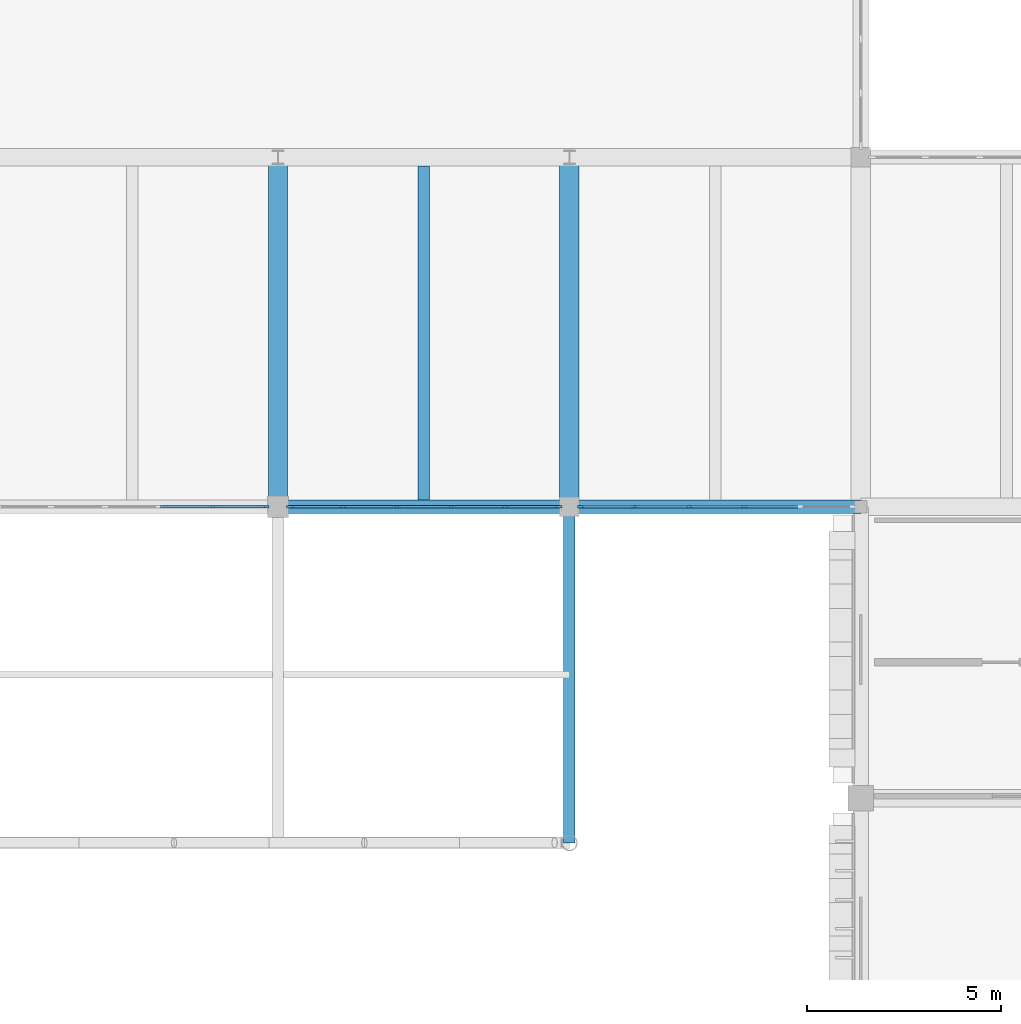
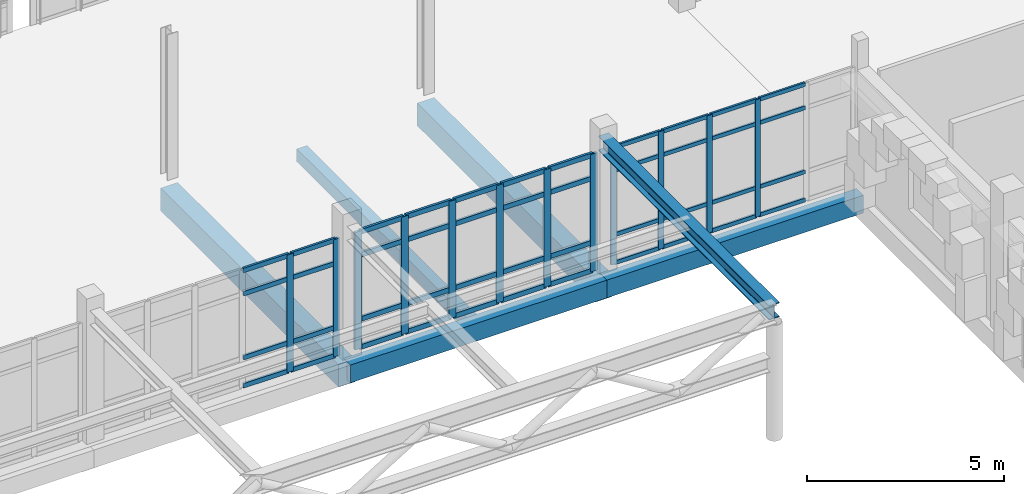
# One storey, part 31 of 128: 56 members, 6 beams, 3 elements without a shape of their own.
"""IFC4 building model written with IfcOpenShell, lengths in metres."""

from ifc_helpers import new_model, si_unit, direction, frame, origin, origin_2d, place, context, subcontext, project, spatial, rectangle, i_section, extrude, material, layer, layer_set, material_profile, profile_set, type_object, element, aggregate, save


model = new_model("IFC4")

# Units and contexts
model_context = context("Model", 3, precision=1e-05, world=origin(), true_north=direction((0.0, 1.0)))
body_context = subcontext(model_context, "Body", "Model", "MODEL_VIEW")
ifc_project = project(units=[si_unit("LENGTHUNIT", "METRE"), si_unit("AREAUNIT", "SQUARE_METRE"), si_unit("VOLUMEUNIT", "CUBIC_METRE"), si_unit("PLANEANGLEUNIT", "RADIAN"), si_unit("MASSUNIT", "GRAM", prefix="KILO")], contexts=[model_context])

# Site, building, storey
site_placement = place(None, origin())
site = spatial("IfcSite", under=ifc_project, at=site_placement, CompositionType="ELEMENT")
building_placement = place(site_placement, origin())
building = spatial("IfcBuilding", under=site, at=building_placement, Name="Dalvernix Boulevard General Hospital", CompositionType="ELEMENT")
storey_placement = place(building_placement, frame((0.0, 0.0, 4.800048828125)))
storey = spatial("IfcBuildingStorey", under=building, at=storey_placement, Name="L01", CompositionType="ELEMENT", Elevation=4.800048828125)

# Beams
ifc_material_1 = material(Name="Concrete C35/45", Category="concrete")
ifc_material_profile_1 = material_profile(ifc_material_1, rectangle(XDim=0.5, YDim=0.699951171875, at=origin_2d()), Name="RCB 500x700")
ifc_profile_set_1 = profile_set([ifc_material_profile_1], Name="Concrete C35/45")
beam_type_1 = type_object("IfcBeamType", Name="BM-B-01-I", PredefinedType="BEAM", material=ifc_profile_set_1)
for number, where, z_axis, x_axis, name in (
    (1, (97.5, 22.5, -0.650146484375), (0.0, 1.0, 0.0), (-1.0, 0.0, 0.0), "L01 N-S girder 14:D-E"),
    (2, (105.0, 22.5, -0.650146484375), (0.0, 1.0, 0.0), (-1.0, 0.0, 0.0), "L01 N-S girder 15:D-E"),
):
    element("IfcBeam", number, at=place(storey_placement, frame(where, z_axis=z_axis, x_axis=x_axis)), inside=storey, type_object=beam_type_1, Name=name, PredefinedType="BEAM", context=body_context, shape_type="SweptSolid", body=[
        extrude(rectangle(XDim=0.5, YDim=0.699951171875, at=origin_2d()), origin(), (0.0, 0.0, 1.0), 9.0),
    ])
ifc_material_profile_2 = material_profile(ifc_material_1, rectangle(XDim=0.300048828125, YDim=0.39990234375, at=origin_2d()), Name="RCB 300x400")
ifc_profile_set_2 = profile_set([ifc_material_profile_2], Name="Concrete C35/45")
beam_type_2 = type_object("IfcBeamType", Name="BM-JB-01", PredefinedType="JOIST", material=ifc_profile_set_2)
beam_1_placement = place(storey_placement, frame((101.25, 22.675048828125, -0.5), z_axis=(0.0, 1.0, 0.0), x_axis=(-1.0, 0.0, 0.0)))
element("IfcBeam", 3, at=beam_1_placement, inside=storey, type_object=beam_type_2, Name="L01 secondary floor beam 14-D", PredefinedType="JOIST", context=body_context, shape_type="SweptSolid", body=[
    extrude(rectangle(XDim=0.300048828125, YDim=0.39990234375, at=origin_2d()), origin(), (0.0, 0.0, 1.0), 8.599853515625),
])
ifc_material_2 = material(Name="Steel S355", Category="steel")
ifc_material_profile_3 = material_profile(ifc_material_2, i_section(OverallWidth=0.300048828125, OverallDepth=0.449951171875, WebThickness=0.013916015625, FlangeThickness=0.02587890625, FilletRadius=0.027099609375, at=origin_2d()), Name="HEB 450")
ifc_profile_set_3 = profile_set([ifc_material_profile_3], Name="Steel S355")
beam_type_3 = type_object("IfcBeamType", Name="BM-RB-03", PredefinedType="BEAM", material=ifc_profile_set_3)
beam_2_placement = place(storey_placement, frame((105.0, 22.5, 3.8798828125), z_axis=(0.0, -1.0, 0.0), x_axis=(1.0, 0.0, 0.0)))
element("IfcBeam", 4, at=beam_2_placement, inside=storey, type_object=beam_type_3, Name="Porte-cochere canopy girder 6", PredefinedType="BEAM", context=body_context, shape_type="SweptSolid", body=[
    extrude(i_section(OverallWidth=0.300048828125, OverallDepth=0.449951171875, WebThickness=0.013916015625, FlangeThickness=0.02587890625, FilletRadius=0.027099609375, at=origin_2d()), origin(), (0.0, 0.0, 1.0), 8.64990234375),
])
ifc_material_profile_4 = material_profile(ifc_material_1, rectangle(XDim=0.35009765625, YDim=0.550048828125, at=origin_2d()), Name="RCB 350x550")
ifc_profile_set_4 = profile_set([ifc_material_profile_4], Name="Concrete C35/45")
beam_type_4 = type_object("IfcBeamType", Name="BM-SB-01-E", PredefinedType="SPANDREL", material=ifc_profile_set_4)
for number, where, z_axis, x_axis, name in (
    (5, (97.5, 22.5, -0.574951171875), (1.0, 0.0, 0.0), (0.0, 1.0, 0.0), "L01 E-W girder D:14-15"),
    (6, (105.0, 22.5, -0.574951171875), (1.0, 0.0, 0.0), (0.0, 1.0, 0.0), "L01 E-W girder D:15-16"),
):
    element("IfcBeam", number, at=place(storey_placement, frame(where, z_axis=z_axis, x_axis=x_axis)), inside=storey, type_object=beam_type_4, Name=name, PredefinedType="SPANDREL", context=body_context, shape_type="SweptSolid", body=[
        extrude(rectangle(XDim=0.35009765625, YDim=0.550048828125, at=origin_2d()), origin(), (0.0, 0.0, 1.0), 7.5),
    ])

# Curtain wall, members
ifc_material_3 = material(Name="Thermally broken aluminium and solar-control glass curtain wall", Category="aluminium")
ifc_layer_1 = layer(ifc_material_3, 0.159912109375)
ifc_layer_set_1 = layer_set([ifc_layer_1], Name="Thermally broken aluminium and solar-control glass curtain wall (CW-CW-A-71x36)")
curtain_wall_type_1 = type_object("IfcCurtainWallType", Name="CW-CW-A-71x36", PredefinedType="USERDEFINED", material=ifc_layer_set_1)
curtain_wall_1_placement = place(storey_placement, origin())
curtain_wall_1 = element("IfcCurtainWall", 7, at=curtain_wall_1_placement, inside=storey, type_object=curtain_wall_type_1, Name="L01 curtain wall CW-A-71x36 14-3", ObjectType="GLAZED FACADE", PredefinedType="USERDEFINED")
ifc_material_4 = material(Name="Aluminium EN AW-6060", Category="aluminium")
ifc_material_profile_5 = material_profile(ifc_material_4, rectangle(XDim=0.06005859375, YDim=0.159912109375, at=origin_2d()), Name="ALU MULL 60x160")
ifc_profile_set_5 = profile_set([ifc_material_profile_5], Name="Aluminium EN AW-6060")
member_type_1 = type_object("IfcMemberType", Name="MEM-CW-M1", PredefinedType="MULLION", material=ifc_profile_set_5)
member_1_placement = place(storey_placement, frame((109.501953125, 22.5, 0.0), z_axis=(0.0, 0.0, 1.0), x_axis=(0.0, -1.0, 0.0)))
member_1 = element("IfcMember", 8, at=member_1_placement, type_object=member_type_1, Name="CW-A-71x36 mullion 3", PredefinedType="MULLION", context=body_context, shape_type="SweptSolid", body=[
    extrude(rectangle(XDim=0.06005859375, YDim=0.159912109375, at=origin_2d()), origin(), (0.0, 0.0, 1.0), 3.6298828125),
])
member_2_placement = place(storey_placement, frame((108.087890625, 22.5, 0.0), z_axis=(0.0, 0.0, 1.0), x_axis=(0.0, -1.0, 0.0)))
member_2 = element("IfcMember", 9, at=member_2_placement, type_object=member_type_1, Name="CW-A-71x36 mullion 4", PredefinedType="MULLION", context=body_context, shape_type="SweptSolid", body=[
    extrude(rectangle(XDim=0.06005859375, YDim=0.159912109375, at=origin_2d()), origin(), (0.0, 0.0, 1.0), 3.6298828125),
])
member_3_placement = place(storey_placement, frame((106.674072265625, 22.5, 0.0), z_axis=(0.0, 0.0, 1.0), x_axis=(0.0, -1.0, 0.0)))
member_3 = element("IfcMember", 10, at=member_3_placement, type_object=member_type_1, Name="CW-A-71x36 mullion 5", PredefinedType="MULLION", context=body_context, shape_type="SweptSolid", body=[
    extrude(rectangle(XDim=0.06005859375, YDim=0.159912109375, at=origin_2d()), origin(), (0.0, 0.0, 1.0), 3.6298828125),
])
member_4_placement = place(storey_placement, frame((105.2900390625, 22.5, 0.0), z_axis=(0.0, 0.0, 1.0), x_axis=(0.0, -1.0, 0.0)))
member_4 = element("IfcMember", 11, at=member_4_placement, type_object=member_type_1, Name="CW-A-71x36 mullion 6", PredefinedType="MULLION", context=body_context, shape_type="SweptSolid", body=[
    extrude(rectangle(XDim=0.06005859375, YDim=0.159912109375, at=origin_2d()), origin(), (0.0, 0.0, 1.0), 3.6298828125),
])

ifc_layer_2 = layer(ifc_material_3, 0.179931640625)
ifc_layer_set_2 = layer_set([ifc_layer_2], Name="Thermally broken aluminium and solar-control glass curtain wall (CW-CW-B-70x36)")
curtain_wall_type_2 = type_object("IfcCurtainWallType", Name="CW-CW-B-70x36", PredefinedType="USERDEFINED", material=ifc_layer_set_2)
curtain_wall_2_placement = place(storey_placement, origin())
curtain_wall_2 = element("IfcCurtainWall", 12, at=curtain_wall_2_placement, inside=storey, type_object=curtain_wall_type_2, Name="L01 curtain wall CW-B-70x36 12-3", ObjectType="GLAZED FACADE", PredefinedType="USERDEFINED")
ifc_material_profile_6 = material_profile(ifc_material_4, rectangle(XDim=0.06494140625, YDim=0.179931640625, at=origin_2d()), Name="ALU MULL 65x180")
ifc_profile_set_6 = profile_set([ifc_material_profile_6], Name="Aluminium EN AW-6060")
member_type_2 = type_object("IfcMemberType", Name="MEM-CW-M2", PredefinedType="MULLION", material=ifc_profile_set_6)
member_5_placement = place(storey_placement, frame((97.1826171875, 22.5, 0.0), z_axis=(0.0, 0.0, 1.0), x_axis=(0.0, -1.0, 0.0)))
member_5 = element("IfcMember", 13, at=member_5_placement, type_object=member_type_2, Name="CW-B-70x36 mullion 1", PredefinedType="MULLION", context=body_context, shape_type="SweptSolid", body=[
    extrude(rectangle(XDim=0.06494140625, YDim=0.179931640625, at=origin_2d()), origin(), (0.0, 0.0, 1.0), 3.6298828125),
])
member_6_placement = place(storey_placement, frame((95.823974609375, 22.5, 0.0), z_axis=(0.0, 0.0, 1.0), x_axis=(0.0, -1.0, 0.0)))
member_6 = element("IfcMember", 14, at=member_6_placement, type_object=member_type_2, Name="CW-B-70x36 mullion 2", PredefinedType="MULLION", context=body_context, shape_type="SweptSolid", body=[
    extrude(rectangle(XDim=0.06494140625, YDim=0.179931640625, at=origin_2d()), origin(), (0.0, 0.0, 1.0), 3.6298828125),
])

ifc_layer_3 = layer(ifc_material_3, 0.199951171875)
ifc_layer_set_3 = layer_set([ifc_layer_3], Name="Thermally broken aluminium and solar-control glass curtain wall (CW-CW-C-70x36)")
curtain_wall_type_3 = type_object("IfcCurtainWallType", Name="CW-CW-C-70x36", PredefinedType="USERDEFINED", material=ifc_layer_set_3)
curtain_wall_3_placement = place(storey_placement, origin())
curtain_wall_3 = element("IfcCurtainWall", 15, at=curtain_wall_3_placement, inside=storey, type_object=curtain_wall_type_3, Name="L01 curtain wall CW-C-70x36 13-3", ObjectType="GLAZED FACADE", PredefinedType="USERDEFINED")
ifc_material_profile_7 = material_profile(ifc_material_4, rectangle(XDim=0.070068359375, YDim=0.199951171875, at=origin_2d()), Name="ALU MULL 70x200")
ifc_profile_set_7 = profile_set([ifc_material_profile_7], Name="Aluminium EN AW-6060")
member_type_3 = type_object("IfcMemberType", Name="MEM-CW-M3", PredefinedType="MULLION", material=ifc_profile_set_7)
member_7_placement = place(storey_placement, frame((104.705078125, 22.5, 0.0), z_axis=(0.0, 0.0, 1.0), x_axis=(0.0, -1.0, 0.0)))
member_7 = element("IfcMember", 16, at=member_7_placement, type_object=member_type_3, Name="CW-C-70x36 mullion 1", PredefinedType="MULLION", context=body_context, shape_type="SweptSolid", body=[
    extrude(rectangle(XDim=0.070068359375, YDim=0.199951171875, at=origin_2d()), origin(), (0.0, 0.0, 1.0), 3.6298828125),
])
member_8_placement = place(storey_placement, frame((103.34912109375, 22.5, 0.0), z_axis=(0.0, 0.0, 1.0), x_axis=(0.0, -1.0, 0.0)))
member_8 = element("IfcMember", 17, at=member_8_placement, type_object=member_type_3, Name="CW-C-70x36 mullion 2", PredefinedType="MULLION", context=body_context, shape_type="SweptSolid", body=[
    extrude(rectangle(XDim=0.070068359375, YDim=0.199951171875, at=origin_2d()), origin(), (0.0, 0.0, 1.0), 3.6298828125),
])
member_9_placement = place(storey_placement, frame((101.9580078125, 22.5, 0.0), z_axis=(0.0, 0.0, 1.0), x_axis=(0.0, -1.0, 0.0)))
member_9 = element("IfcMember", 18, at=member_9_placement, type_object=member_type_3, Name="CW-C-70x36 mullion 3", PredefinedType="MULLION", context=body_context, shape_type="SweptSolid", body=[
    extrude(rectangle(XDim=0.070068359375, YDim=0.199951171875, at=origin_2d()), origin(), (0.0, 0.0, 1.0), 3.6298828125),
])
member_10_placement = place(storey_placement, frame((100.56689453125, 22.5, 0.0), z_axis=(0.0, 0.0, 1.0), x_axis=(0.0, -1.0, 0.0)))
member_10 = element("IfcMember", 19, at=member_10_placement, type_object=member_type_3, Name="CW-C-70x36 mullion 4", PredefinedType="MULLION", context=body_context, shape_type="SweptSolid", body=[
    extrude(rectangle(XDim=0.070068359375, YDim=0.199951171875, at=origin_2d()), origin(), (0.0, 0.0, 1.0), 3.6298828125),
])
member_11_placement = place(storey_placement, frame((99.176025390625, 22.5, 0.0), z_axis=(0.0, 0.0, 1.0), x_axis=(0.0, -1.0, 0.0)))
member_11 = element("IfcMember", 20, at=member_11_placement, type_object=member_type_3, Name="CW-C-70x36 mullion 5", PredefinedType="MULLION", context=body_context, shape_type="SweptSolid", body=[
    extrude(rectangle(XDim=0.070068359375, YDim=0.199951171875, at=origin_2d()), origin(), (0.0, 0.0, 1.0), 3.6298828125),
])
member_12_placement = place(storey_placement, frame((97.820068359375, 22.5, 0.0), z_axis=(0.0, 0.0, 1.0), x_axis=(0.0, -1.0, 0.0)))
member_12 = element("IfcMember", 21, at=member_12_placement, type_object=member_type_3, Name="CW-C-70x36 mullion 6", PredefinedType="MULLION", context=body_context, shape_type="SweptSolid", body=[
    extrude(rectangle(XDim=0.070068359375, YDim=0.199951171875, at=origin_2d()), origin(), (0.0, 0.0, 1.0), 3.6298828125),
])

# Member
ifc_material_profile_8 = material_profile(ifc_material_4, rectangle(XDim=0.06005859375, YDim=0.1201171875, at=origin_2d()), Name="ALU TRAN 60x120")
ifc_profile_set_8 = profile_set([ifc_material_profile_8], Name="Aluminium EN AW-6060")
member_type_4 = type_object("IfcMemberType", Name="MEM-CW-T1", PredefinedType="USERDEFINED", material=ifc_profile_set_8)
member_13_placement = place(storey_placement, frame((110.885986328125, 22.5, 0.030029296875), z_axis=(-1.0, 0.0, 0.0), x_axis=(0.0, -1.0, 0.0)))
member_13 = element("IfcMember", 22, at=member_13_placement, type_object=member_type_4, Name="CW-A-71x36 transom 2.1", ObjectType="TRANSOM", PredefinedType="USERDEFINED", context=body_context, shape_type="SweptSolid", body=[
    extrude(rectangle(XDim=0.06005859375, YDim=0.1201171875, at=origin_2d()), origin(), (0.0, 0.0, 1.0), 1.35400390625),
])

member_14_placement = place(storey_placement, frame((110.885986328125, 22.5, 0.89990234375), z_axis=(-1.0, 0.0, 0.0), x_axis=(0.0, -1.0, 0.0)))
member_14 = element("IfcMember", 23, at=member_14_placement, type_object=member_type_4, Name="CW-A-71x36 transom 2.2", ObjectType="TRANSOM", PredefinedType="USERDEFINED", context=body_context, shape_type="SweptSolid", body=[
    extrude(rectangle(XDim=0.06005859375, YDim=0.1201171875, at=origin_2d()), origin(), (0.0, 0.0, 1.0), 1.35400390625),
])

member_15_placement = place(storey_placement, frame((110.885986328125, 22.5, 2.8798828125), z_axis=(-1.0, 0.0, 0.0), x_axis=(0.0, -1.0, 0.0)))
member_15 = element("IfcMember", 24, at=member_15_placement, type_object=member_type_4, Name="CW-A-71x36 transom 2.3", ObjectType="TRANSOM", PredefinedType="USERDEFINED", context=body_context, shape_type="SweptSolid", body=[
    extrude(rectangle(XDim=0.06005859375, YDim=0.1201171875, at=origin_2d()), origin(), (0.0, 0.0, 1.0), 1.35400390625),
])

member_16_placement = place(storey_placement, frame((110.885986328125, 22.5, 3.599853515625), z_axis=(-1.0, 0.0, 0.0), x_axis=(0.0, -1.0, 0.0)))
member_16 = element("IfcMember", 25, at=member_16_placement, type_object=member_type_4, Name="CW-A-71x36 transom 2.4", ObjectType="TRANSOM", PredefinedType="USERDEFINED", context=body_context, shape_type="SweptSolid", body=[
    extrude(rectangle(XDim=0.06005859375, YDim=0.1201171875, at=origin_2d()), origin(), (0.0, 0.0, 1.0), 1.35400390625),
])

member_17_placement = place(storey_placement, frame((109.471923828125, 22.5, 0.030029296875), z_axis=(-1.0, 0.0, 0.0), x_axis=(0.0, -1.0, 0.0)))
member_17 = element("IfcMember", 26, at=member_17_placement, type_object=member_type_4, Name="CW-A-71x36 transom 3.1", ObjectType="TRANSOM", PredefinedType="USERDEFINED", context=body_context, shape_type="SweptSolid", body=[
    extrude(rectangle(XDim=0.06005859375, YDim=0.1201171875, at=origin_2d()), origin(), (0.0, 0.0, 1.0), 1.35400390625),
])

member_18_placement = place(storey_placement, frame((109.471923828125, 22.5, 0.89990234375), z_axis=(-1.0, 0.0, 0.0), x_axis=(0.0, -1.0, 0.0)))
member_18 = element("IfcMember", 27, at=member_18_placement, type_object=member_type_4, Name="CW-A-71x36 transom 3.2", ObjectType="TRANSOM", PredefinedType="USERDEFINED", context=body_context, shape_type="SweptSolid", body=[
    extrude(rectangle(XDim=0.06005859375, YDim=0.1201171875, at=origin_2d()), origin(), (0.0, 0.0, 1.0), 1.35400390625),
])

member_19_placement = place(storey_placement, frame((109.471923828125, 22.5, 2.8798828125), z_axis=(-1.0, 0.0, 0.0), x_axis=(0.0, -1.0, 0.0)))
member_19 = element("IfcMember", 28, at=member_19_placement, type_object=member_type_4, Name="CW-A-71x36 transom 3.3", ObjectType="TRANSOM", PredefinedType="USERDEFINED", context=body_context, shape_type="SweptSolid", body=[
    extrude(rectangle(XDim=0.06005859375, YDim=0.1201171875, at=origin_2d()), origin(), (0.0, 0.0, 1.0), 1.35400390625),
])

member_20_placement = place(storey_placement, frame((109.471923828125, 22.5, 3.599853515625), z_axis=(-1.0, 0.0, 0.0), x_axis=(0.0, -1.0, 0.0)))
member_20 = element("IfcMember", 29, at=member_20_placement, type_object=member_type_4, Name="CW-A-71x36 transom 3.4", ObjectType="TRANSOM", PredefinedType="USERDEFINED", context=body_context, shape_type="SweptSolid", body=[
    extrude(rectangle(XDim=0.06005859375, YDim=0.1201171875, at=origin_2d()), origin(), (0.0, 0.0, 1.0), 1.35400390625),
])

member_21_placement = place(storey_placement, frame((108.05810546875, 22.5, 0.030029296875), z_axis=(-1.0, 0.0, 0.0), x_axis=(0.0, -1.0, 0.0)))
member_21 = element("IfcMember", 30, at=member_21_placement, type_object=member_type_4, Name="CW-A-71x36 transom 4.1", ObjectType="TRANSOM", PredefinedType="USERDEFINED", context=body_context, shape_type="SweptSolid", body=[
    extrude(rectangle(XDim=0.06005859375, YDim=0.1201171875, at=origin_2d()), origin(), (0.0, 0.0, 1.0), 1.35400390625),
])

member_22_placement = place(storey_placement, frame((108.05810546875, 22.5, 0.89990234375), z_axis=(-1.0, 0.0, 0.0), x_axis=(0.0, -1.0, 0.0)))
member_22 = element("IfcMember", 31, at=member_22_placement, type_object=member_type_4, Name="CW-A-71x36 transom 4.2", ObjectType="TRANSOM", PredefinedType="USERDEFINED", context=body_context, shape_type="SweptSolid", body=[
    extrude(rectangle(XDim=0.06005859375, YDim=0.1201171875, at=origin_2d()), origin(), (0.0, 0.0, 1.0), 1.35400390625),
])

member_23_placement = place(storey_placement, frame((108.05810546875, 22.5, 2.8798828125), z_axis=(-1.0, 0.0, 0.0), x_axis=(0.0, -1.0, 0.0)))
member_23 = element("IfcMember", 32, at=member_23_placement, type_object=member_type_4, Name="CW-A-71x36 transom 4.3", ObjectType="TRANSOM", PredefinedType="USERDEFINED", context=body_context, shape_type="SweptSolid", body=[
    extrude(rectangle(XDim=0.06005859375, YDim=0.1201171875, at=origin_2d()), origin(), (0.0, 0.0, 1.0), 1.35400390625),
])

member_24_placement = place(storey_placement, frame((108.05810546875, 22.5, 3.599853515625), z_axis=(-1.0, 0.0, 0.0), x_axis=(0.0, -1.0, 0.0)))
member_24 = element("IfcMember", 33, at=member_24_placement, type_object=member_type_4, Name="CW-A-71x36 transom 4.4", ObjectType="TRANSOM", PredefinedType="USERDEFINED", context=body_context, shape_type="SweptSolid", body=[
    extrude(rectangle(XDim=0.06005859375, YDim=0.1201171875, at=origin_2d()), origin(), (0.0, 0.0, 1.0), 1.35400390625),
])

member_25_placement = place(storey_placement, frame((106.64404296875, 22.5, 0.030029296875), z_axis=(-1.0, 0.0, 0.0), x_axis=(0.0, -1.0, 0.0)))
member_25 = element("IfcMember", 34, at=member_25_placement, type_object=member_type_4, Name="CW-A-71x36 transom 5.1", ObjectType="TRANSOM", PredefinedType="USERDEFINED", context=body_context, shape_type="SweptSolid", body=[
    extrude(rectangle(XDim=0.06005859375, YDim=0.1201171875, at=origin_2d()), origin(), (0.0, 0.0, 1.0), 1.323974609375),
])

member_26_placement = place(storey_placement, frame((106.64404296875, 22.5, 0.89990234375), z_axis=(-1.0, 0.0, 0.0), x_axis=(0.0, -1.0, 0.0)))
member_26 = element("IfcMember", 35, at=member_26_placement, type_object=member_type_4, Name="CW-A-71x36 transom 5.2", ObjectType="TRANSOM", PredefinedType="USERDEFINED", context=body_context, shape_type="SweptSolid", body=[
    extrude(rectangle(XDim=0.06005859375, YDim=0.1201171875, at=origin_2d()), origin(), (0.0, 0.0, 1.0), 1.323974609375),
])

member_27_placement = place(storey_placement, frame((106.64404296875, 22.5, 2.8798828125), z_axis=(-1.0, 0.0, 0.0), x_axis=(0.0, -1.0, 0.0)))
member_27 = element("IfcMember", 36, at=member_27_placement, type_object=member_type_4, Name="CW-A-71x36 transom 5.3", ObjectType="TRANSOM", PredefinedType="USERDEFINED", context=body_context, shape_type="SweptSolid", body=[
    extrude(rectangle(XDim=0.06005859375, YDim=0.1201171875, at=origin_2d()), origin(), (0.0, 0.0, 1.0), 1.323974609375),
])

member_28_placement = place(storey_placement, frame((106.64404296875, 22.5, 3.599853515625), z_axis=(-1.0, 0.0, 0.0), x_axis=(0.0, -1.0, 0.0)))
member_28 = element("IfcMember", 37, at=member_28_placement, type_object=member_type_4, Name="CW-A-71x36 transom 5.4", ObjectType="TRANSOM", PredefinedType="USERDEFINED", context=body_context, shape_type="SweptSolid", body=[
    extrude(rectangle(XDim=0.06005859375, YDim=0.1201171875, at=origin_2d()), origin(), (0.0, 0.0, 1.0), 1.323974609375),
])

aggregate(curtain_wall_1, [member_1, member_2, member_3, member_4, member_13, member_14, member_15, member_16, member_17, member_18, member_19, member_20, member_21, member_22, member_23, member_24, member_25, member_26, member_27, member_28])

ifc_material_profile_9 = material_profile(ifc_material_4, rectangle(XDim=0.06494140625, YDim=0.139892578125, at=origin_2d()), Name="ALU TRAN 65x140")
ifc_profile_set_9 = profile_set([ifc_material_profile_9], Name="Aluminium EN AW-6060")
member_type_5 = type_object("IfcMemberType", Name="MEM-CW-T2", PredefinedType="USERDEFINED", material=ifc_profile_set_9)
member_29_placement = place(storey_placement, frame((97.14990234375, 22.5, 0.032470703125), z_axis=(-1.0, 0.0, 0.0), x_axis=(0.0, -1.0, 0.0)))
member_29 = element("IfcMember", 38, at=member_29_placement, type_object=member_type_5, Name="CW-B-70x36 transom 1.1", ObjectType="TRANSOM", PredefinedType="USERDEFINED", context=body_context, shape_type="SweptSolid", body=[
    extrude(rectangle(XDim=0.06494140625, YDim=0.139892578125, at=origin_2d()), origin(), (0.0, 0.0, 1.0), 1.29345703125),
])

member_30_placement = place(storey_placement, frame((97.14990234375, 22.5, 0.89990234375), z_axis=(-1.0, 0.0, 0.0), x_axis=(0.0, -1.0, 0.0)))
member_30 = element("IfcMember", 39, at=member_30_placement, type_object=member_type_5, Name="CW-B-70x36 transom 1.2", ObjectType="TRANSOM", PredefinedType="USERDEFINED", context=body_context, shape_type="SweptSolid", body=[
    extrude(rectangle(XDim=0.06494140625, YDim=0.139892578125, at=origin_2d()), origin(), (0.0, 0.0, 1.0), 1.29345703125),
])

member_31_placement = place(storey_placement, frame((97.14990234375, 22.5, 2.8798828125), z_axis=(-1.0, 0.0, 0.0), x_axis=(0.0, -1.0, 0.0)))
member_31 = element("IfcMember", 40, at=member_31_placement, type_object=member_type_5, Name="CW-B-70x36 transom 1.3", ObjectType="TRANSOM", PredefinedType="USERDEFINED", context=body_context, shape_type="SweptSolid", body=[
    extrude(rectangle(XDim=0.06494140625, YDim=0.139892578125, at=origin_2d()), origin(), (0.0, 0.0, 1.0), 1.29345703125),
])

member_32_placement = place(storey_placement, frame((97.14990234375, 22.5, 3.597412109375), z_axis=(-1.0, 0.0, 0.0), x_axis=(0.0, -1.0, 0.0)))
member_32 = element("IfcMember", 41, at=member_32_placement, type_object=member_type_5, Name="CW-B-70x36 transom 1.4", ObjectType="TRANSOM", PredefinedType="USERDEFINED", context=body_context, shape_type="SweptSolid", body=[
    extrude(rectangle(XDim=0.06494140625, YDim=0.139892578125, at=origin_2d()), origin(), (0.0, 0.0, 1.0), 1.29345703125),
])

member_33_placement = place(storey_placement, frame((95.79150390625, 22.5, 0.032470703125), z_axis=(-1.0, 0.0, 0.0), x_axis=(0.0, -1.0, 0.0)))
member_33 = element("IfcMember", 42, at=member_33_placement, type_object=member_type_5, Name="CW-B-70x36 transom 2.1", ObjectType="TRANSOM", PredefinedType="USERDEFINED", context=body_context, shape_type="SweptSolid", body=[
    extrude(rectangle(XDim=0.06494140625, YDim=0.139892578125, at=origin_2d()), origin(), (0.0, 0.0, 1.0), 1.325927734375),
])

member_34_placement = place(storey_placement, frame((95.79150390625, 22.5, 0.89990234375), z_axis=(-1.0, 0.0, 0.0), x_axis=(0.0, -1.0, 0.0)))
member_34 = element("IfcMember", 43, at=member_34_placement, type_object=member_type_5, Name="CW-B-70x36 transom 2.2", ObjectType="TRANSOM", PredefinedType="USERDEFINED", context=body_context, shape_type="SweptSolid", body=[
    extrude(rectangle(XDim=0.06494140625, YDim=0.139892578125, at=origin_2d()), origin(), (0.0, 0.0, 1.0), 1.325927734375),
])

member_35_placement = place(storey_placement, frame((95.79150390625, 22.5, 2.8798828125), z_axis=(-1.0, 0.0, 0.0), x_axis=(0.0, -1.0, 0.0)))
member_35 = element("IfcMember", 44, at=member_35_placement, type_object=member_type_5, Name="CW-B-70x36 transom 2.3", ObjectType="TRANSOM", PredefinedType="USERDEFINED", context=body_context, shape_type="SweptSolid", body=[
    extrude(rectangle(XDim=0.06494140625, YDim=0.139892578125, at=origin_2d()), origin(), (0.0, 0.0, 1.0), 1.325927734375),
])

member_36_placement = place(storey_placement, frame((95.79150390625, 22.5, 3.597412109375), z_axis=(-1.0, 0.0, 0.0), x_axis=(0.0, -1.0, 0.0)))
member_36 = element("IfcMember", 45, at=member_36_placement, type_object=member_type_5, Name="CW-B-70x36 transom 2.4", ObjectType="TRANSOM", PredefinedType="USERDEFINED", context=body_context, shape_type="SweptSolid", body=[
    extrude(rectangle(XDim=0.06494140625, YDim=0.139892578125, at=origin_2d()), origin(), (0.0, 0.0, 1.0), 1.325927734375),
])

aggregate(curtain_wall_2, [member_5, member_6, member_29, member_30, member_31, member_32, member_33, member_34, member_35, member_36])

ifc_material_profile_10 = material_profile(ifc_material_4, rectangle(XDim=0.070068359375, YDim=0.14990234375, at=origin_2d()), Name="ALU TRAN 70x150")
ifc_profile_set_10 = profile_set([ifc_material_profile_10], Name="Aluminium EN AW-6060")
member_type_6 = type_object("IfcMemberType", Name="MEM-CW-T3", PredefinedType="USERDEFINED", material=ifc_profile_set_10)
member_37_placement = place(storey_placement, frame((104.669921875, 22.5, 0.034912109375), z_axis=(-1.0, 0.0, 0.0), x_axis=(0.0, -1.0, 0.0)))
member_37 = element("IfcMember", 46, at=member_37_placement, type_object=member_type_6, Name="CW-C-70x36 transom 1.1", ObjectType="TRANSOM", PredefinedType="USERDEFINED", context=body_context, shape_type="SweptSolid", body=[
    extrude(rectangle(XDim=0.070068359375, YDim=0.14990234375, at=origin_2d()), origin(), (0.0, 0.0, 1.0), 1.285888671875),
])

member_38_placement = place(storey_placement, frame((104.669921875, 22.5, 0.89990234375), z_axis=(-1.0, 0.0, 0.0), x_axis=(0.0, -1.0, 0.0)))
member_38 = element("IfcMember", 47, at=member_38_placement, type_object=member_type_6, Name="CW-C-70x36 transom 1.2", ObjectType="TRANSOM", PredefinedType="USERDEFINED", context=body_context, shape_type="SweptSolid", body=[
    extrude(rectangle(XDim=0.070068359375, YDim=0.14990234375, at=origin_2d()), origin(), (0.0, 0.0, 1.0), 1.285888671875),
])

member_39_placement = place(storey_placement, frame((104.669921875, 22.5, 2.8798828125), z_axis=(-1.0, 0.0, 0.0), x_axis=(0.0, -1.0, 0.0)))
member_39 = element("IfcMember", 48, at=member_39_placement, type_object=member_type_6, Name="CW-C-70x36 transom 1.3", ObjectType="TRANSOM", PredefinedType="USERDEFINED", context=body_context, shape_type="SweptSolid", body=[
    extrude(rectangle(XDim=0.070068359375, YDim=0.14990234375, at=origin_2d()), origin(), (0.0, 0.0, 1.0), 1.285888671875),
])

member_40_placement = place(storey_placement, frame((104.669921875, 22.5, 3.594970703125), z_axis=(-1.0, 0.0, 0.0), x_axis=(0.0, -1.0, 0.0)))
member_40 = element("IfcMember", 49, at=member_40_placement, type_object=member_type_6, Name="CW-C-70x36 transom 1.4", ObjectType="TRANSOM", PredefinedType="USERDEFINED", context=body_context, shape_type="SweptSolid", body=[
    extrude(rectangle(XDim=0.070068359375, YDim=0.14990234375, at=origin_2d()), origin(), (0.0, 0.0, 1.0), 1.285888671875),
])

member_41_placement = place(storey_placement, frame((103.31396484375, 22.5, 0.034912109375), z_axis=(-1.0, 0.0, 0.0), x_axis=(0.0, -1.0, 0.0)))
member_41 = element("IfcMember", 50, at=member_41_placement, type_object=member_type_6, Name="CW-C-70x36 transom 2.1", ObjectType="TRANSOM", PredefinedType="USERDEFINED", context=body_context, shape_type="SweptSolid", body=[
    extrude(rectangle(XDim=0.070068359375, YDim=0.14990234375, at=origin_2d()), origin(), (0.0, 0.0, 1.0), 1.321044921875),
])

member_42_placement = place(storey_placement, frame((103.31396484375, 22.5, 0.89990234375), z_axis=(-1.0, 0.0, 0.0), x_axis=(0.0, -1.0, 0.0)))
member_42 = element("IfcMember", 51, at=member_42_placement, type_object=member_type_6, Name="CW-C-70x36 transom 2.2", ObjectType="TRANSOM", PredefinedType="USERDEFINED", context=body_context, shape_type="SweptSolid", body=[
    extrude(rectangle(XDim=0.070068359375, YDim=0.14990234375, at=origin_2d()), origin(), (0.0, 0.0, 1.0), 1.321044921875),
])

member_43_placement = place(storey_placement, frame((103.31396484375, 22.5, 2.8798828125), z_axis=(-1.0, 0.0, 0.0), x_axis=(0.0, -1.0, 0.0)))
member_43 = element("IfcMember", 52, at=member_43_placement, type_object=member_type_6, Name="CW-C-70x36 transom 2.3", ObjectType="TRANSOM", PredefinedType="USERDEFINED", context=body_context, shape_type="SweptSolid", body=[
    extrude(rectangle(XDim=0.070068359375, YDim=0.14990234375, at=origin_2d()), origin(), (0.0, 0.0, 1.0), 1.321044921875),
])

member_44_placement = place(storey_placement, frame((103.31396484375, 22.5, 3.594970703125), z_axis=(-1.0, 0.0, 0.0), x_axis=(0.0, -1.0, 0.0)))
member_44 = element("IfcMember", 53, at=member_44_placement, type_object=member_type_6, Name="CW-C-70x36 transom 2.4", ObjectType="TRANSOM", PredefinedType="USERDEFINED", context=body_context, shape_type="SweptSolid", body=[
    extrude(rectangle(XDim=0.070068359375, YDim=0.14990234375, at=origin_2d()), origin(), (0.0, 0.0, 1.0), 1.321044921875),
])

member_45_placement = place(storey_placement, frame((101.923095703125, 22.5, 0.034912109375), z_axis=(-1.0, 0.0, 0.0), x_axis=(0.0, -1.0, 0.0)))
member_45 = element("IfcMember", 54, at=member_45_placement, type_object=member_type_6, Name="CW-C-70x36 transom 3.1", ObjectType="TRANSOM", PredefinedType="USERDEFINED", context=body_context, shape_type="SweptSolid", body=[
    extrude(rectangle(XDim=0.070068359375, YDim=0.14990234375, at=origin_2d()), origin(), (0.0, 0.0, 1.0), 1.321044921875),
])

member_46_placement = place(storey_placement, frame((101.923095703125, 22.5, 0.89990234375), z_axis=(-1.0, 0.0, 0.0), x_axis=(0.0, -1.0, 0.0)))
member_46 = element("IfcMember", 55, at=member_46_placement, type_object=member_type_6, Name="CW-C-70x36 transom 3.2", ObjectType="TRANSOM", PredefinedType="USERDEFINED", context=body_context, shape_type="SweptSolid", body=[
    extrude(rectangle(XDim=0.070068359375, YDim=0.14990234375, at=origin_2d()), origin(), (0.0, 0.0, 1.0), 1.321044921875),
])

member_47_placement = place(storey_placement, frame((101.923095703125, 22.5, 2.8798828125), z_axis=(-1.0, 0.0, 0.0), x_axis=(0.0, -1.0, 0.0)))
member_47 = element("IfcMember", 56, at=member_47_placement, type_object=member_type_6, Name="CW-C-70x36 transom 3.3", ObjectType="TRANSOM", PredefinedType="USERDEFINED", context=body_context, shape_type="SweptSolid", body=[
    extrude(rectangle(XDim=0.070068359375, YDim=0.14990234375, at=origin_2d()), origin(), (0.0, 0.0, 1.0), 1.321044921875),
])

member_48_placement = place(storey_placement, frame((101.923095703125, 22.5, 3.594970703125), z_axis=(-1.0, 0.0, 0.0), x_axis=(0.0, -1.0, 0.0)))
member_48 = element("IfcMember", 57, at=member_48_placement, type_object=member_type_6, Name="CW-C-70x36 transom 3.4", ObjectType="TRANSOM", PredefinedType="USERDEFINED", context=body_context, shape_type="SweptSolid", body=[
    extrude(rectangle(XDim=0.070068359375, YDim=0.14990234375, at=origin_2d()), origin(), (0.0, 0.0, 1.0), 1.321044921875),
])

member_49_placement = place(storey_placement, frame((100.531982421875, 22.5, 0.034912109375), z_axis=(-1.0, 0.0, 0.0), x_axis=(0.0, -1.0, 0.0)))
member_49 = element("IfcMember", 58, at=member_49_placement, type_object=member_type_6, Name="CW-C-70x36 transom 4.1", ObjectType="TRANSOM", PredefinedType="USERDEFINED", context=body_context, shape_type="SweptSolid", body=[
    extrude(rectangle(XDim=0.070068359375, YDim=0.14990234375, at=origin_2d()), origin(), (0.0, 0.0, 1.0), 1.321044921875),
])

member_50_placement = place(storey_placement, frame((100.531982421875, 22.5, 0.89990234375), z_axis=(-1.0, 0.0, 0.0), x_axis=(0.0, -1.0, 0.0)))
member_50 = element("IfcMember", 59, at=member_50_placement, type_object=member_type_6, Name="CW-C-70x36 transom 4.2", ObjectType="TRANSOM", PredefinedType="USERDEFINED", context=body_context, shape_type="SweptSolid", body=[
    extrude(rectangle(XDim=0.070068359375, YDim=0.14990234375, at=origin_2d()), origin(), (0.0, 0.0, 1.0), 1.321044921875),
])

member_51_placement = place(storey_placement, frame((100.531982421875, 22.5, 2.8798828125), z_axis=(-1.0, 0.0, 0.0), x_axis=(0.0, -1.0, 0.0)))
member_51 = element("IfcMember", 60, at=member_51_placement, type_object=member_type_6, Name="CW-C-70x36 transom 4.3", ObjectType="TRANSOM", PredefinedType="USERDEFINED", context=body_context, shape_type="SweptSolid", body=[
    extrude(rectangle(XDim=0.070068359375, YDim=0.14990234375, at=origin_2d()), origin(), (0.0, 0.0, 1.0), 1.321044921875),
])

member_52_placement = place(storey_placement, frame((100.531982421875, 22.5, 3.594970703125), z_axis=(-1.0, 0.0, 0.0), x_axis=(0.0, -1.0, 0.0)))
member_52 = element("IfcMember", 61, at=member_52_placement, type_object=member_type_6, Name="CW-C-70x36 transom 4.4", ObjectType="TRANSOM", PredefinedType="USERDEFINED", context=body_context, shape_type="SweptSolid", body=[
    extrude(rectangle(XDim=0.070068359375, YDim=0.14990234375, at=origin_2d()), origin(), (0.0, 0.0, 1.0), 1.321044921875),
])

member_53_placement = place(storey_placement, frame((99.14111328125, 22.5, 0.034912109375), z_axis=(-1.0, 0.0, 0.0), x_axis=(0.0, -1.0, 0.0)))
member_53 = element("IfcMember", 62, at=member_53_placement, type_object=member_type_6, Name="CW-C-70x36 transom 5.1", ObjectType="TRANSOM", PredefinedType="USERDEFINED", context=body_context, shape_type="SweptSolid", body=[
    extrude(rectangle(XDim=0.070068359375, YDim=0.14990234375, at=origin_2d()), origin(), (0.0, 0.0, 1.0), 1.2861328125),
])

member_54_placement = place(storey_placement, frame((99.14111328125, 22.5, 0.89990234375), z_axis=(-1.0, 0.0, 0.0), x_axis=(0.0, -1.0, 0.0)))
member_54 = element("IfcMember", 63, at=member_54_placement, type_object=member_type_6, Name="CW-C-70x36 transom 5.2", ObjectType="TRANSOM", PredefinedType="USERDEFINED", context=body_context, shape_type="SweptSolid", body=[
    extrude(rectangle(XDim=0.070068359375, YDim=0.14990234375, at=origin_2d()), origin(), (0.0, 0.0, 1.0), 1.2861328125),
])

member_55_placement = place(storey_placement, frame((99.14111328125, 22.5, 2.8798828125), z_axis=(-1.0, 0.0, 0.0), x_axis=(0.0, -1.0, 0.0)))
member_55 = element("IfcMember", 64, at=member_55_placement, type_object=member_type_6, Name="CW-C-70x36 transom 5.3", ObjectType="TRANSOM", PredefinedType="USERDEFINED", context=body_context, shape_type="SweptSolid", body=[
    extrude(rectangle(XDim=0.070068359375, YDim=0.14990234375, at=origin_2d()), origin(), (0.0, 0.0, 1.0), 1.2861328125),
])

member_56_placement = place(storey_placement, frame((99.14111328125, 22.5, 3.594970703125), z_axis=(-1.0, 0.0, 0.0), x_axis=(0.0, -1.0, 0.0)))
member_56 = element("IfcMember", 65, at=member_56_placement, type_object=member_type_6, Name="CW-C-70x36 transom 5.4", ObjectType="TRANSOM", PredefinedType="USERDEFINED", context=body_context, shape_type="SweptSolid", body=[
    extrude(rectangle(XDim=0.070068359375, YDim=0.14990234375, at=origin_2d()), origin(), (0.0, 0.0, 1.0), 1.2861328125),
])

aggregate(curtain_wall_3, [member_7, member_8, member_9, member_10, member_11, member_12, member_37, member_38, member_39, member_40, member_41, member_42, member_43, member_44, member_45, member_46, member_47, member_48, member_49, member_50, member_51, member_52, member_53, member_54, member_55, member_56])

save(model, "model.ifc")
